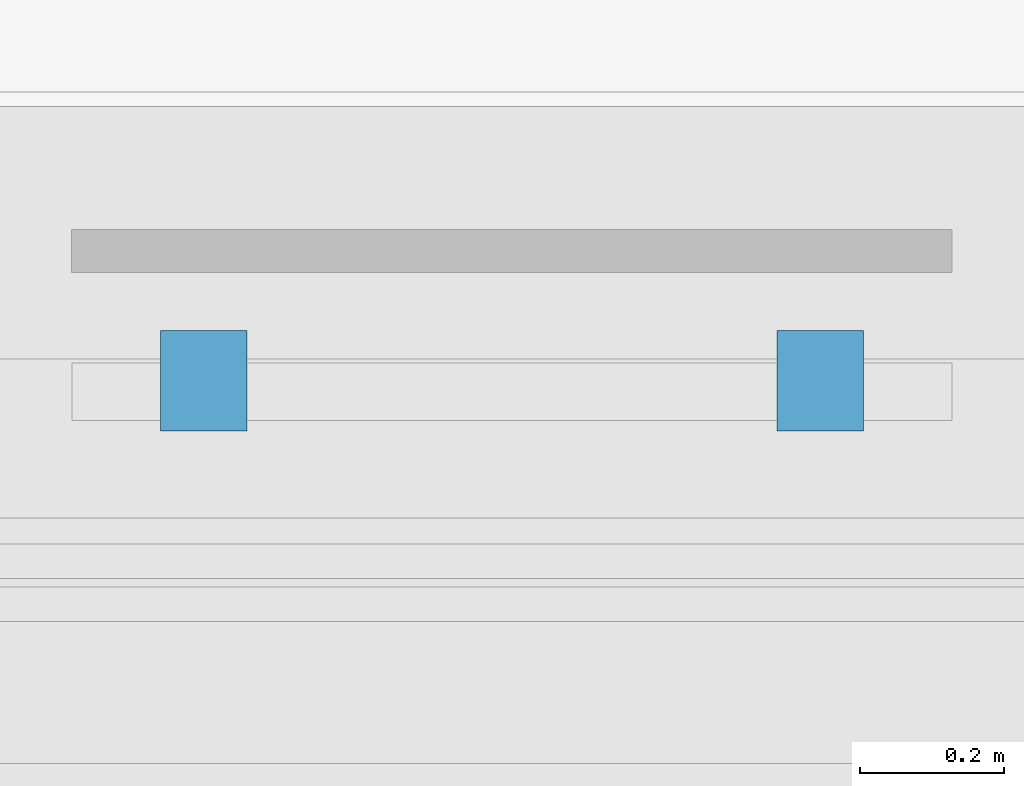
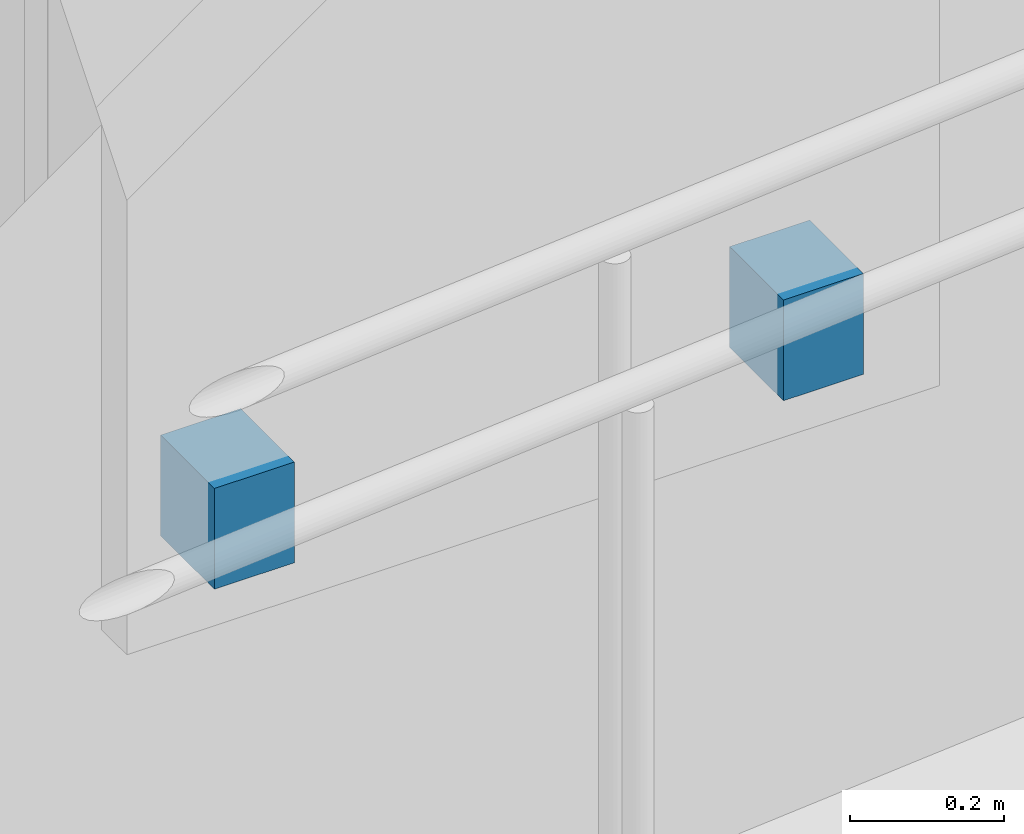
# One storey, part 89 of 104: 2 discrete accessories.
"""IFC4 building model written with IfcOpenShell, lengths in metres."""

from ifc_helpers import new_model, si_unit, direction, frame, origin, origin_2d, place, context, subcontext, project, spatial, rectangle, extrude, material, type_object, element, save


model = new_model("IFC4")

# Units and contexts
model_context = context("Model", 3, precision=1e-05, world=origin(), true_north=direction((0.0, 1.0)))
body_context = subcontext(model_context, "Body", "Model", "MODEL_VIEW")
ifc_project = project(units=[si_unit("LENGTHUNIT", "METRE"), si_unit("AREAUNIT", "SQUARE_METRE"), si_unit("VOLUMEUNIT", "CUBIC_METRE"), si_unit("PLANEANGLEUNIT", "RADIAN"), si_unit("MASSUNIT", "GRAM", prefix="KILO")], contexts=[model_context])

# Site, building, storey
site_placement = place(None, origin())
site = spatial("IfcSite", under=ifc_project, at=site_placement, CompositionType="ELEMENT")
building_placement = place(site_placement, origin())
building = spatial("IfcBuilding", under=site, at=building_placement, Name="Hawrajan Terrace Health Centre", CompositionType="ELEMENT")
storey_placement = place(building_placement, origin())
storey = spatial("IfcBuildingStorey", under=building, at=storey_placement, Name="L00", CompositionType="ELEMENT", Elevation=0.0)

# Discrete accessories
ifc_material = material(Name="Steel S355", Category="steel")
discrete_accessory_type = type_object("IfcDiscreteAccessoryType", Name="FacadeBracket_S355", PredefinedType="BRACKET", material=ifc_material)
for number, where, z_axis, x_axis, name in (
    (1, (125.988037109375, 4.02001953125, 1.06982421875), (0.0, 0.0, 1.0), (1.0, 0.0, 0.0), "Roshan support bracket BRK-L00-045-1"),
    (2, (126.842041015625, 4.02001953125, 1.06982421875), (0.0, 0.0, 1.0), (1.0, 0.0, 0.0), "Roshan support bracket BRK-L00-045-2"),
):
    element("IfcDiscreteAccessory", number, at=place(storey_placement, frame(where, z_axis=z_axis, x_axis=x_axis)), inside=storey, type_object=discrete_accessory_type, Name=name, PredefinedType="BRACKET", context=body_context, shape_type="SweptSolid", body=[
        extrude(rectangle(XDim=0.1201171875, YDim=0.139892578125, at=origin_2d()), origin(), (0.0, 0.0, 1.0), 0.159912109375),
    ])

save(model, "model.ifc")
